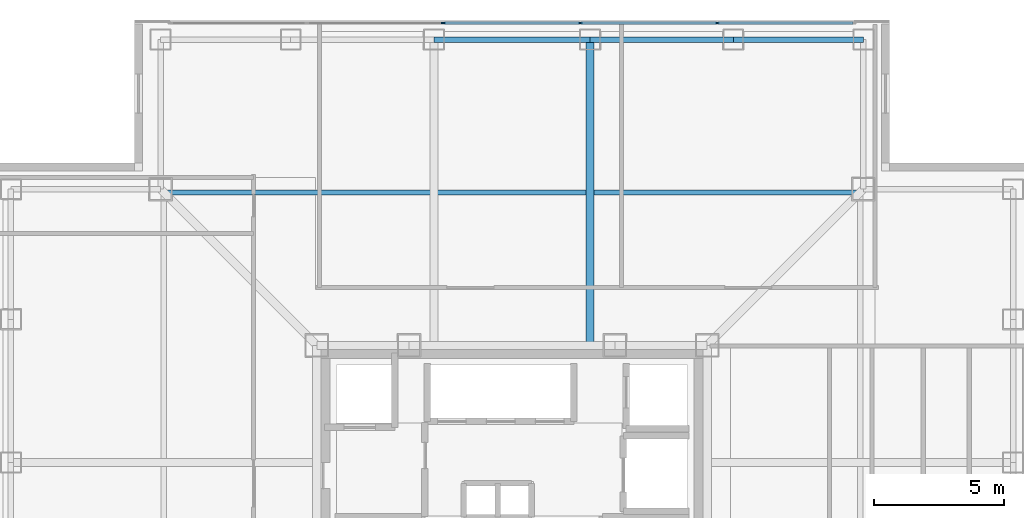
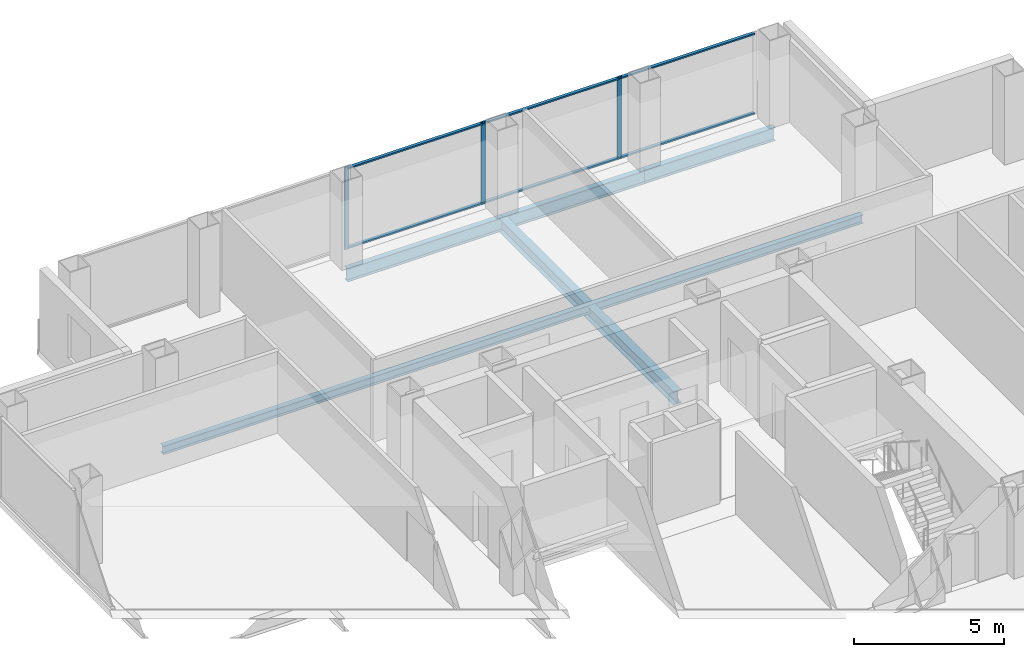
# One storey, part 8 of 18: 9 members, 5 beams, 1 element without a shape of its own.
"""IFC4 building model written with IfcOpenShell, lengths in metres."""

from ifc_helpers import new_model, si_unit, direction, frame, origin, origin_2d, place, context, subcontext, project, spatial, rectangle, i_section, extrude, material, layer, layer_set, material_profile, profile_set, type_object, element, aggregate, save


model = new_model("IFC4")

# Units and contexts
model_context = context("Model", 3, precision=1e-05, world=origin(), true_north=direction((0.0, 1.0)))
body_context = subcontext(model_context, "Body", "Model", "MODEL_VIEW")
ifc_project = project(units=[si_unit("LENGTHUNIT", "METRE"), si_unit("AREAUNIT", "SQUARE_METRE"), si_unit("VOLUMEUNIT", "CUBIC_METRE"), si_unit("PLANEANGLEUNIT", "RADIAN"), si_unit("MASSUNIT", "GRAM", prefix="KILO")], contexts=[model_context])

# Site, building, storey
site_placement = place(None, origin())
site = spatial("IfcSite", under=ifc_project, at=site_placement, CompositionType="ELEMENT")
building_placement = place(site_placement, origin())
building = spatial("IfcBuilding", under=site, at=building_placement, Name="Trevonay Congress Spire", CompositionType="ELEMENT")
storey_placement = place(building_placement, frame((0.0, 0.0, 198.60009765625)))
storey = spatial("IfcBuildingStorey", under=building, at=storey_placement, Name="L51", CompositionType="ELEMENT", Elevation=198.60009765625)

# Beams
ifc_material_1 = material(Name="Steel ASTM A572 Grade 50", Category="steel")
ifc_material_profile_1 = material_profile(ifc_material_1, i_section(OverallWidth=0.31201171875, OverallDepth=0.54296875, WebThickness=0.0126953125, FlangeThickness=0.020263671875, FilletRadius=0.014892578125, at=origin_2d()), Name="W530x150")
ifc_profile_set_1 = profile_set([ifc_material_profile_1], Name="Steel ASTM A572 Grade 50")
beam_type_1 = type_object("IfcBeamType", Name="BM-GIRD-W530X150", PredefinedType="BEAM", material=ifc_profile_set_1)
beam_1_placement = place(storey_placement, frame((3.0, 7.5, -0.51171875), z_axis=(0.0, 1.0, 0.0), x_axis=(-1.0, 0.0, 0.0)))
element("IfcBeam", 1, at=beam_1_placement, inside=storey, type_object=beam_type_1, Name="L51 structural beam BM-L51-GN-P", PredefinedType="BEAM", context=body_context, shape_type="SweptSolid", body=[
    extrude(i_section(OverallWidth=0.31201171875, OverallDepth=0.54296875, WebThickness=0.0126953125, FlangeThickness=0.020263671875, FilletRadius=0.014892578125, at=origin_2d()), origin(), (0.0, 0.0, 1.0), 11.75),
])
ifc_material_profile_2 = material_profile(ifc_material_1, i_section(OverallWidth=0.2119140625, OverallDepth=0.5439453125, WebThickness=0.01318359375, FlangeThickness=0.021240234375, FilletRadius=0.014892578125, at=origin_2d()), Name="W530x123")
ifc_profile_set_2 = profile_set([ifc_material_profile_2], Name="Steel ASTM A572 Grade 50")
beam_type_2 = type_object("IfcBeamType", Name="BM-RING-W530X123", PredefinedType="BEAM", material=ifc_profile_set_2)
beam_2_placement = place(storey_placement, frame((-3.0, 19.25, -0.51220703125), z_axis=(1.0, 0.0, 0.0), x_axis=(0.0, 1.0, 0.0)))
element("IfcBeam", 2, at=beam_2_placement, inside=storey, type_object=beam_type_2, Name="L51 structural beam BM-L51-PN3", PredefinedType="BEAM", context=body_context, shape_type="SweptSolid", body=[
    extrude(i_section(OverallWidth=0.2119140625, OverallDepth=0.5439453125, WebThickness=0.01318359375, FlangeThickness=0.021240234375, FilletRadius=0.014892578125, at=origin_2d()), origin(), (0.0, 0.0, 1.0), 6.0),
])
beam_3_placement = place(storey_placement, frame((3.0, 19.25, -0.51220703125), z_axis=(1.0, 0.0, 0.0), x_axis=(0.0, 1.0, 0.0)))
element("IfcBeam", 3, at=beam_3_placement, inside=storey, type_object=beam_type_2, Name="L51 structural beam BM-L51-PN4", PredefinedType="BEAM", context=body_context, shape_type="SweptSolid", body=[
    extrude(i_section(OverallWidth=0.2119140625, OverallDepth=0.5439453125, WebThickness=0.01318359375, FlangeThickness=0.021240234375, FilletRadius=0.014892578125, at=origin_2d()), origin(), (0.0, 0.0, 1.0), 5.5),
])
beam_4_placement = place(storey_placement, frame((8.5, 19.25, -0.51220703125), z_axis=(1.0, 0.0, 0.0), x_axis=(0.0, 1.0, 0.0)))
element("IfcBeam", 4, at=beam_4_placement, inside=storey, type_object=beam_type_2, Name="L51 structural beam BM-L51-PN5", PredefinedType="BEAM", context=body_context, shape_type="SweptSolid", body=[
    extrude(i_section(OverallWidth=0.2119140625, OverallDepth=0.5439453125, WebThickness=0.01318359375, FlangeThickness=0.021240234375, FilletRadius=0.014892578125, at=origin_2d()), origin(), (0.0, 0.0, 1.0), 5.0),
])

# Curtain wall, members
ifc_material_2 = material(Name="Pale Anodised Aluminium EN AW-6063-T6", Category="aluminium")
ifc_layer = layer(ifc_material_2, 0.169921875, Name="Pale Anodised Aluminium EN AW-6063-T6")
ifc_layer_set = layer_set([ifc_layer], Name="Pale Anodised Aluminium EN AW-6063-T6")
curtain_wall_type = type_object("IfcCurtainWallType", Name="CW-SYS04-CORP-PALE-METAL", PredefinedType="NOTDEFINED", material=ifc_layer_set)
curtain_wall_placement = place(storey_placement, origin())
curtain_wall = element("IfcCurtainWall", 5, at=curtain_wall_placement, inside=storey, type_object=curtain_wall_type, Name="L51 N unitised curtain wall", PredefinedType="NOTDEFINED")
ifc_material_profile_3 = material_profile(ifc_material_2, rectangle(XDim=0.06005859375, YDim=0.159912109375, at=origin_2d()), Name="CW-MULLION-160-ALUMINIUM")
ifc_profile_set_3 = profile_set([ifc_material_profile_3], Name="Pale Anodised Aluminium EN AW-6063-T6")
member_type_1 = type_object("IfcMemberType", Name="CW-MULLION-160-ALUMINIUM", PredefinedType="MULLION", material=ifc_profile_set_3)
member_1_placement = place(storey_placement, frame((-2.6298828125, 19.8798828125, 0.0), z_axis=(0.0, 0.0, 1.0), x_axis=(0.0, 1.0, 0.0)))
member_1 = element("IfcMember", 6, at=member_1_placement, type_object=member_type_1, Name="CW04 mullion 3", PredefinedType="MULLION", context=body_context, shape_type="SweptSolid", body=[
    extrude(rectangle(XDim=0.06005859375, YDim=0.159912109375, at=origin_2d()), origin(), (0.0, 0.0, 1.0), 3.35986328125),
])
member_2_placement = place(storey_placement, frame((2.6298828125, 19.8798828125, 0.0), z_axis=(0.0, 0.0, 1.0), x_axis=(0.0, 1.0, 0.0)))
member_2 = element("IfcMember", 7, at=member_2_placement, type_object=member_type_1, Name="CW04 mullion 4", PredefinedType="MULLION", context=body_context, shape_type="SweptSolid", body=[
    extrude(rectangle(XDim=0.06005859375, YDim=0.159912109375, at=origin_2d()), origin(), (0.0, 0.0, 1.0), 3.35986328125),
])
member_3_placement = place(storey_placement, frame((7.889892578125, 19.8798828125, 0.0), z_axis=(0.0, 0.0, 1.0), x_axis=(0.0, 1.0, 0.0)))
member_3 = element("IfcMember", 8, at=member_3_placement, type_object=member_type_1, Name="CW04 mullion 5", PredefinedType="MULLION", context=body_context, shape_type="SweptSolid", body=[
    extrude(rectangle(XDim=0.06005859375, YDim=0.159912109375, at=origin_2d()), origin(), (0.0, 0.0, 1.0), 3.35986328125),
])
ifc_material_profile_4 = material_profile(ifc_material_2, rectangle(XDim=0.1201171875, YDim=0.06005859375, at=origin_2d()), Name="CW-TRANSOM-120-ALUMINIUM")
ifc_profile_set_4 = profile_set([ifc_material_profile_4], Name="Pale Anodised Aluminium EN AW-6063-T6")
member_type_2 = type_object("IfcMemberType", Name="CW-TRANSOM-120-ALUMINIUM", PredefinedType="USERDEFINED", material=ifc_profile_set_4)
member_4_placement = place(storey_placement, frame((-2.60009765625, 19.8798828125, 0.059814453125), z_axis=(1.0, 0.0, 0.0), x_axis=(0.0, 1.0, 0.0)))
member_4 = element("IfcMember", 9, at=member_4_placement, type_object=member_type_2, Name="CW04 transom 3.1", ObjectType="TRANSOM", PredefinedType="USERDEFINED", context=body_context, shape_type="SweptSolid", body=[
    extrude(rectangle(XDim=0.1201171875, YDim=0.06005859375, at=origin_2d()), origin(), (0.0, 0.0, 1.0), 5.2001953125),
])
member_5_placement = place(storey_placement, frame((-2.60009765625, 19.8798828125, 3.2998046875), z_axis=(1.0, 0.0, 0.0), x_axis=(0.0, 1.0, 0.0)))
member_5 = element("IfcMember", 10, at=member_5_placement, type_object=member_type_2, Name="CW04 transom 3.2", ObjectType="TRANSOM", PredefinedType="USERDEFINED", context=body_context, shape_type="SweptSolid", body=[
    extrude(rectangle(XDim=0.1201171875, YDim=0.06005859375, at=origin_2d()), origin(), (0.0, 0.0, 1.0), 5.2001953125),
])
member_6_placement = place(storey_placement, frame((2.659912109375, 19.8798828125, 0.059814453125), z_axis=(1.0, 0.0, 0.0), x_axis=(0.0, 1.0, 0.0)))
member_6 = element("IfcMember", 11, at=member_6_placement, type_object=member_type_2, Name="CW04 transom 4.1", ObjectType="TRANSOM", PredefinedType="USERDEFINED", context=body_context, shape_type="SweptSolid", body=[
    extrude(rectangle(XDim=0.1201171875, YDim=0.06005859375, at=origin_2d()), origin(), (0.0, 0.0, 1.0), 5.2001953125),
])
member_7_placement = place(storey_placement, frame((2.659912109375, 19.8798828125, 3.2998046875), z_axis=(1.0, 0.0, 0.0), x_axis=(0.0, 1.0, 0.0)))
member_7 = element("IfcMember", 12, at=member_7_placement, type_object=member_type_2, Name="CW04 transom 4.2", ObjectType="TRANSOM", PredefinedType="USERDEFINED", context=body_context, shape_type="SweptSolid", body=[
    extrude(rectangle(XDim=0.1201171875, YDim=0.06005859375, at=origin_2d()), origin(), (0.0, 0.0, 1.0), 5.2001953125),
])
member_8_placement = place(storey_placement, frame((7.919921875, 19.8798828125, 0.059814453125), z_axis=(1.0, 0.0, 0.0), x_axis=(0.0, 1.0, 0.0)))
member_8 = element("IfcMember", 13, at=member_8_placement, type_object=member_type_2, Name="CW04 transom 5.1", ObjectType="TRANSOM", PredefinedType="USERDEFINED", context=body_context, shape_type="SweptSolid", body=[
    extrude(rectangle(XDim=0.1201171875, YDim=0.06005859375, at=origin_2d()), origin(), (0.0, 0.0, 1.0), 5.170166015625),
])
member_9_placement = place(storey_placement, frame((7.919921875, 19.8798828125, 3.2998046875), z_axis=(1.0, 0.0, 0.0), x_axis=(0.0, 1.0, 0.0)))
member_9 = element("IfcMember", 14, at=member_9_placement, type_object=member_type_2, Name="CW04 transom 5.2", ObjectType="TRANSOM", PredefinedType="USERDEFINED", context=body_context, shape_type="SweptSolid", body=[
    extrude(rectangle(XDim=0.1201171875, YDim=0.06005859375, at=origin_2d()), origin(), (0.0, 0.0, 1.0), 5.170166015625),
])
aggregate(curtain_wall, [member_1, member_2, member_3, member_4, member_5, member_6, member_7, member_8, member_9])

# Beam
ifc_material_profile_5 = material_profile(ifc_material_1, i_section(OverallWidth=0.205078125, OverallDepth=0.35400390625, WebThickness=0.009521484375, FlangeThickness=0.016845703125, FilletRadius=0.011962890625, at=origin_2d()), Name="W360x79")
ifc_profile_set_5 = profile_set([ifc_material_profile_5], Name="Steel ASTM A572 Grade 50")
beam_type_3 = type_object("IfcBeamType", Name="JS-COMP-W360X79", PredefinedType="JOIST", material=ifc_profile_set_5)
beam_5_placement = place(storey_placement, frame((-13.5, 13.375, -0.4169921875), z_axis=(1.0, 0.0, 0.0), x_axis=(0.0, 1.0, 0.0)))
element("IfcBeam", 15, at=beam_5_placement, inside=storey, type_object=beam_type_3, Name="L51 structural beam JS-L51-RING-N", PredefinedType="JOIST", context=body_context, shape_type="SweptSolid", body=[
    extrude(i_section(OverallWidth=0.205078125, OverallDepth=0.35400390625, WebThickness=0.009521484375, FlangeThickness=0.016845703125, FilletRadius=0.011962890625, at=origin_2d()), origin(), (0.0, 0.0, 1.0), 27.0),
])

save(model, "model.ifc")
